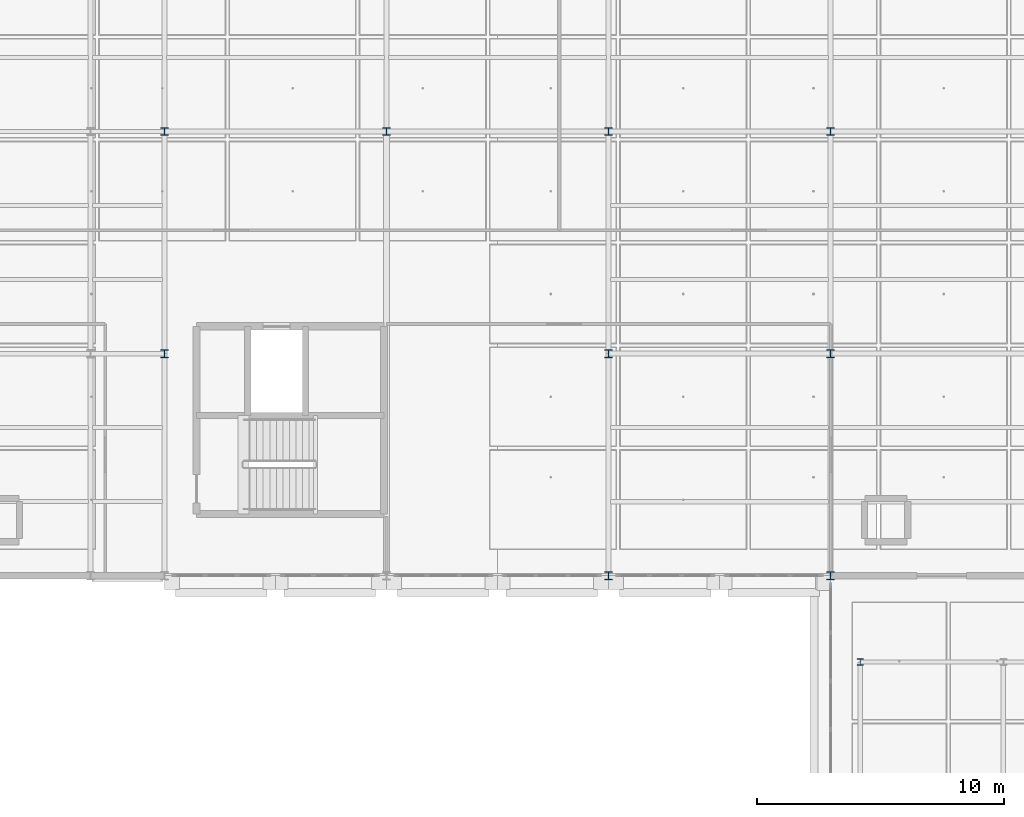
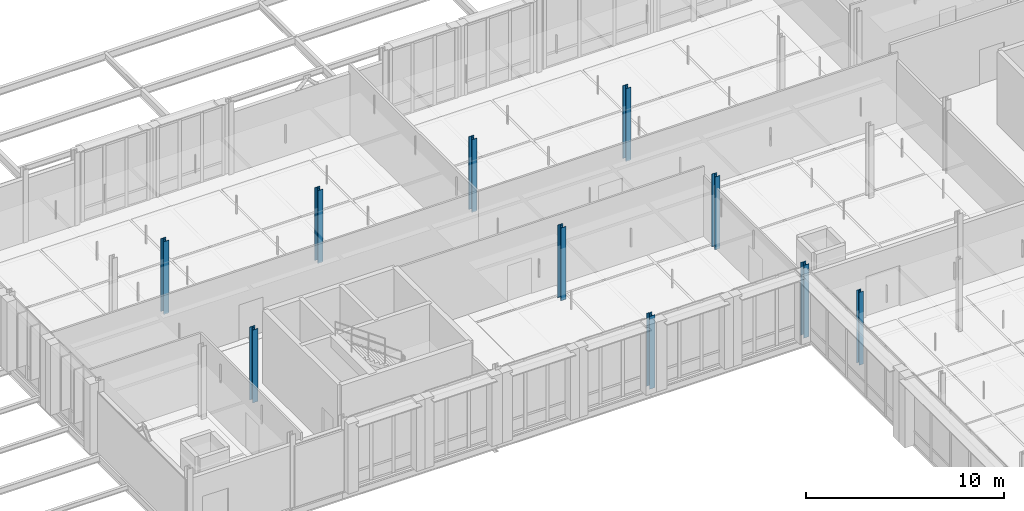
# One storey, part 13 of 140: 10 columns.
"""IFC4 building model written with IfcOpenShell, lengths in metres."""

from ifc_helpers import new_model, si_unit, direction, frame, origin, origin_2d, place, context, subcontext, project, spatial, i_section, extrude, material, material_profile, profile_set, type_object, element, save


model = new_model("IFC4")

# Units and contexts
model_context = context("Model", 3, precision=1e-05, world=origin(), true_north=direction((0.0, 1.0)))
body_context = subcontext(model_context, "Body", "Model", "MODEL_VIEW")
ifc_project = project(units=[si_unit("LENGTHUNIT", "METRE"), si_unit("AREAUNIT", "SQUARE_METRE"), si_unit("VOLUMEUNIT", "CUBIC_METRE"), si_unit("PLANEANGLEUNIT", "RADIAN"), si_unit("MASSUNIT", "GRAM", prefix="KILO"), si_unit("THERMODYNAMICTEMPERATUREUNIT", "KELVIN"), si_unit("POWERUNIT", "WATT")], contexts=[model_context])

# Site, building, storey
site_placement = place(None, origin())
site = spatial("IfcSite", under=ifc_project, at=site_placement, CompositionType="ELEMENT")
building_placement = place(site_placement, origin())
building = spatial("IfcBuilding", under=site, at=building_placement, Name="Tallowbark Science Centre", CompositionType="ELEMENT")
storey_placement = place(building_placement, frame((0.0, 0.0, 9.89990234375)))
storey = spatial("IfcBuildingStorey", under=building, at=storey_placement, Name="L02", CompositionType="ELEMENT", Elevation=9.89990234375)

# Columns
ifc_material = material(Name="Structural Steel Grade 300PLUS (300 MPa)", Category="steel")
ifc_material_profile_1 = material_profile(ifc_material, i_section(OverallWidth=0.256103515625, OverallDepth=0.260009765625, WebThickness=0.010498046875, FlangeThickness=0.017333984375, FilletRadius=0.013916015625, at=origin_2d()), Name="250UC89.5")
ifc_profile_set_1 = profile_set([ifc_material_profile_1], Name="Structural Steel Grade 300PLUS (300 MPa)")
column_type_1 = type_object("IfcColumnType", Name="COL-UC250A", PredefinedType="COLUMN", material=ifc_profile_set_1)
column_placement = place(storey_placement, frame((100.199951171875, 68.5, 0.0), z_axis=(0.0, 0.0, 1.0), x_axis=(1.0, 0.0, 0.0)))
element("IfcColumn", 1, at=column_placement, inside=storey, type_object=column_type_1, Name="Column LNK-0_3 L02", PredefinedType="COLUMN", context=body_context, shape_type="SweptSolid", body=[
    extrude(i_section(OverallWidth=0.256103515625, OverallDepth=0.260009765625, WebThickness=0.010498046875, FlangeThickness=0.017333984375, FilletRadius=0.013916015625, at=origin_2d()), origin(), (0.0, 0.0, 1.0), 4.5),
])
ifc_material_profile_2 = material_profile(ifc_material, i_section(OverallWidth=0.30908203125, OverallDepth=0.320556640625, WebThickness=0.013916015625, FlangeThickness=0.021728515625, FilletRadius=0.0166015625, at=origin_2d()), Name="310UC137")
ifc_profile_set_2 = profile_set([ifc_material_profile_2], Name="Structural Steel Grade 300PLUS (300 MPa)")
column_type_2 = type_object("IfcColumnType", Name="COL-UC310B", PredefinedType="COLUMN", material=ifc_profile_set_2)
for number, where, z_axis, x_axis, name in (
    (2, (72.0, 81.0, 0.0), (0.0, 0.0, 1.0), (1.0, 0.0, 0.0), "Column LAB-3_1 L02"),
    (3, (72.0, 90.0, 0.0), (0.0, 0.0, 1.0), (1.0, 0.0, 0.0), "Column LAB-3_2 L02"),
    (4, (81.0, 90.0, 0.0), (0.0, 0.0, 1.0), (1.0, 0.0, 0.0), "Column LAB-4_2 L02"),
    (5, (90.0, 72.0, 0.0), (0.0, 0.0, 1.0), (1.0, 0.0, 0.0), "Column LAB-5_0 L02"),
    (6, (90.0, 81.0, 0.0), (0.0, 0.0, 1.0), (1.0, 0.0, 0.0), "Column LAB-5_1 L02"),
    (7, (90.0, 90.0, 0.0), (0.0, 0.0, 1.0), (1.0, 0.0, 0.0), "Column LAB-5_2 L02"),
    (8, (99.0, 72.0, 0.0), (0.0, 0.0, 1.0), (1.0, 0.0, 0.0), "Column LAB-6_0 L02"),
    (9, (99.0, 81.0, 0.0), (0.0, 0.0, 1.0), (1.0, 0.0, 0.0), "Column LAB-6_1 L02"),
    (10, (99.0, 90.0, 0.0), (0.0, 0.0, 1.0), (1.0, 0.0, 0.0), "Column LAB-6_2 L02"),
):
    element("IfcColumn", number, at=place(storey_placement, frame(where, z_axis=z_axis, x_axis=x_axis)), inside=storey, type_object=column_type_2, Name=name, PredefinedType="COLUMN", context=body_context, shape_type="SweptSolid", body=[
        extrude(i_section(OverallWidth=0.30908203125, OverallDepth=0.320556640625, WebThickness=0.013916015625, FlangeThickness=0.021728515625, FilletRadius=0.0166015625, at=origin_2d()), origin(), (0.0, 0.0, 1.0), 4.5),
    ])

save(model, "model.ifc")
